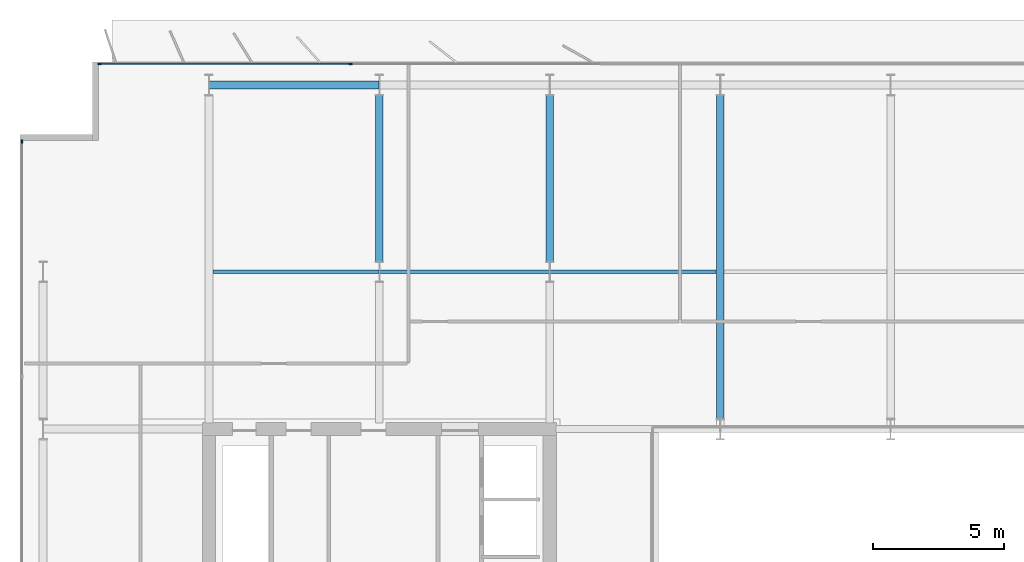
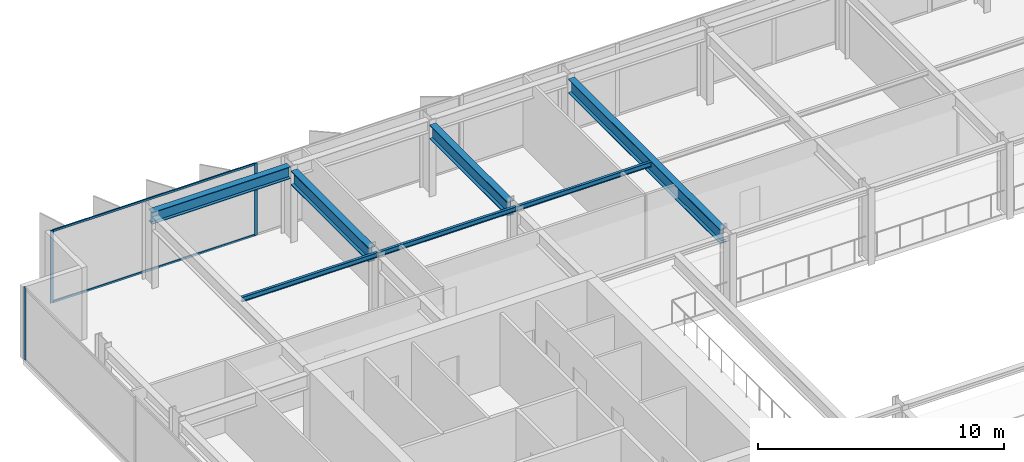
# One storey, part 10 of 23: 7 beams, 5 members, 2 elements without a shape of their own.
"""IFC4 building model written with IfcOpenShell, lengths in metres."""

from ifc_helpers import new_model, si_unit, direction, frame, origin, origin_2d, place, context, subcontext, project, spatial, rectangle, i_section, extrude, material, layer, layer_set, material_profile, profile_set, type_object, element, aggregate, save


model = new_model("IFC4")

# Units and contexts
model_context = context("Model", 3, precision=1e-05, world=origin(), true_north=direction((0.0, 1.0)))
body_context = subcontext(model_context, "Body", "Model", "MODEL_VIEW")
ifc_project = project(units=[si_unit("LENGTHUNIT", "METRE"), si_unit("AREAUNIT", "SQUARE_METRE"), si_unit("VOLUMEUNIT", "CUBIC_METRE"), si_unit("PLANEANGLEUNIT", "RADIAN"), si_unit("MASSUNIT", "GRAM", prefix="KILO")], contexts=[model_context])

# Site, building, storey
site_placement = place(None, origin())
site = spatial("IfcSite", under=ifc_project, at=site_placement, CompositionType="ELEMENT")
building_placement = place(site_placement, origin())
building = spatial("IfcBuilding", under=site, at=building_placement, Name="Putna Gate Headquarters", CompositionType="ELEMENT")
storey_placement = place(building_placement, frame((0.0, 0.0, 202.39990234375)))
storey = spatial("IfcBuildingStorey", under=building, at=storey_placement, Name="L50", CompositionType="ELEMENT", Elevation=202.39990234375)

# Beams
ifc_material_1 = material(Name="Steel S355J2", Category="steel")
ifc_material_profile_1 = material_profile(ifc_material_1, i_section(OverallWidth=0.300048828125, OverallDepth=0.699951171875, WebThickness=0.01708984375, FlangeThickness=0.031982421875, at=origin_2d()), Name="Steel S355J2")
ifc_profile_set_1 = profile_set([ifc_material_profile_1], Name="Steel S355J2")
beam_type_1 = type_object("IfcBeamType", Name="BM-GIRD-B-HEB700", PredefinedType="USERDEFINED", material=ifc_profile_set_1)
for number, where, z_axis, x_axis, name in (
    (1, (19.5, 39.39501953125, 3.22998046875), (0.0, 1.0, 0.0), (-1.0, 0.0, 0.0), "L50 North Primary Girder X19-2"),
    (2, (26.0, 39.39501953125, 3.22998046875), (0.0, 1.0, 0.0), (-1.0, 0.0, 0.0), "L50 North Primary Girder X26-2"),
):
    element("IfcBeam", number, at=place(storey_placement, frame(where, z_axis=z_axis, x_axis=x_axis)), inside=storey, type_object=beam_type_1, Name=name, ObjectType="GIRDER", PredefinedType="USERDEFINED", context=body_context, shape_type="SweptSolid", body=[
        extrude(i_section(OverallWidth=0.300048828125, OverallDepth=0.699951171875, WebThickness=0.01708984375, FlangeThickness=0.031982421875, at=origin_2d()), origin(), (0.0, 0.0, 1.0), 6.330078125),
    ])
beam_1_placement = place(storey_placement, frame((32.5, 33.39501953125, 3.22998046875), z_axis=(0.0, 1.0, 0.0), x_axis=(-1.0, 0.0, 0.0)))
element("IfcBeam", 3, at=beam_1_placement, inside=storey, type_object=beam_type_1, Name="L50 North Primary Girder X32", ObjectType="GIRDER", PredefinedType="USERDEFINED", context=body_context, shape_type="SweptSolid", body=[
    extrude(i_section(OverallWidth=0.300048828125, OverallDepth=0.699951171875, WebThickness=0.01708984375, FlangeThickness=0.031982421875, at=origin_2d()), origin(), (0.0, 0.0, 1.0), 12.330078125),
])
ifc_material_profile_2 = material_profile(ifc_material_1, i_section(OverallWidth=0.1201171875, OverallDepth=0.239990234375, WebThickness=0.006103515625, FlangeThickness=0.009765625, at=origin_2d()), Name="Steel S355J2")
ifc_profile_set_2 = profile_set([ifc_material_profile_2], Name="Steel S355J2")
beam_type_2 = type_object("IfcBeamType", Name="BM-SEC-Z4-IPE240", PredefinedType="JOIST", material=ifc_profile_set_2)
beam_2_placement = place(storey_placement, frame((13.154052734375, 39.0, 3.460205078125), z_axis=(1.0, 0.0, 0.0), x_axis=(0.0, 1.0, 0.0)))
element("IfcBeam", 4, at=beam_2_placement, inside=storey, type_object=beam_type_2, Name="L50 North Secondary Beam 1", PredefinedType="JOIST", context=body_context, shape_type="SweptSolid", body=[
    extrude(i_section(OverallWidth=0.1201171875, OverallDepth=0.239990234375, WebThickness=0.006103515625, FlangeThickness=0.009765625, at=origin_2d()), origin(), (0.0, 0.0, 1.0), 6.33984375),
])
beam_3_placement = place(storey_placement, frame((19.506103515625, 39.0, 3.460205078125), z_axis=(1.0, 0.0, 0.0), x_axis=(0.0, 1.0, 0.0)))
element("IfcBeam", 5, at=beam_3_placement, inside=storey, type_object=beam_type_2, Name="L50 North Secondary Beam 2", PredefinedType="JOIST", context=body_context, shape_type="SweptSolid", body=[
    extrude(i_section(OverallWidth=0.1201171875, OverallDepth=0.239990234375, WebThickness=0.006103515625, FlangeThickness=0.009765625, at=origin_2d()), origin(), (0.0, 0.0, 1.0), 6.48779296875),
])
beam_4_placement = place(storey_placement, frame((26.006103515625, 39.0, 3.460205078125), z_axis=(1.0, 0.0, 0.0), x_axis=(0.0, 1.0, 0.0)))
element("IfcBeam", 6, at=beam_4_placement, inside=storey, type_object=beam_type_2, Name="L50 North Secondary Beam 3", PredefinedType="JOIST", context=body_context, shape_type="SweptSolid", body=[
    extrude(i_section(OverallWidth=0.1201171875, OverallDepth=0.239990234375, WebThickness=0.006103515625, FlangeThickness=0.009765625, at=origin_2d()), origin(), (0.0, 0.0, 1.0), 6.33984375),
])
ifc_material_profile_3 = material_profile(ifc_material_1, i_section(OverallWidth=0.300048828125, OverallDepth=0.590087890625, WebThickness=0.012939453125, FlangeThickness=0.02490234375, at=origin_2d()), Name="Steel S355J2")
ifc_profile_set_3 = profile_set([ifc_material_profile_3], Name="Steel S355J2")
beam_type_3 = type_object("IfcBeamType", Name="BM-SPAN-Z4-HEA600", PredefinedType="SPANDREL", material=ifc_profile_set_3)
beam_5_placement = place(storey_placement, frame((13.006103515625, 46.1201171875, 3.28515625), z_axis=(1.0, 0.0, 0.0), x_axis=(0.0, 1.0, 0.0)))
element("IfcBeam", 7, at=beam_5_placement, inside=storey, type_object=beam_type_3, Name="L50 N Perimeter Spandrel 1", PredefinedType="SPANDREL", context=body_context, shape_type="SweptSolid", body=[
    extrude(i_section(OverallWidth=0.300048828125, OverallDepth=0.590087890625, WebThickness=0.012939453125, FlangeThickness=0.02490234375, at=origin_2d()), origin(), (0.0, 0.0, 1.0), 6.48779296875),
])

# Curtain wall, members
ifc_material_2 = material(Name="Anodised bronze aluminium curtain wall", Category="aluminium")
ifc_layer = layer(ifc_material_2, 0.139892578125)
ifc_layer_set = layer_set([ifc_layer], Name="Anodised bronze aluminium curtain wall")
curtain_wall_type = type_object("IfcCurtainWallType", Name="CW-SYS-Z4", PredefinedType="USERDEFINED", material=ifc_layer_set)
curtain_wall_1_placement = place(storey_placement, origin())
curtain_wall_1 = element("IfcCurtainWall", 8, at=curtain_wall_1_placement, inside=storey, type_object=curtain_wall_type, Name="L50 North West Curtain Wall", ObjectType="STICK CURTAIN WALL", PredefinedType="USERDEFINED")
ifc_material_3 = material(Name="Anodised bronze aluminium EN AW-6060", Category="aluminium")
ifc_material_profile_4 = material_profile(ifc_material_3, rectangle(XDim=0.06005859375, YDim=0.139892578125, at=origin_2d()), Name="Anodised bronze aluminium EN AW-6060")
ifc_profile_set_4 = profile_set([ifc_material_profile_4], Name="Anodised bronze aluminium EN AW-6060")
member_type_1 = type_object("IfcMemberType", Name="MULL-CWM-4", PredefinedType="MULLION", material=ifc_profile_set_4)
member_1_placement = place(storey_placement, frame((8.830078125, 46.919921875, 0.0), z_axis=(0.0, 0.0, 1.0), x_axis=(0.0, 1.0, 0.0)))
member_1 = element("IfcMember", 9, at=member_1_placement, type_object=member_type_1, Name="CWS-4 mullion 1", PredefinedType="MULLION", context=body_context, shape_type="SweptSolid", body=[
    extrude(rectangle(XDim=0.06005859375, YDim=0.139892578125, at=origin_2d()), origin(), (0.0, 0.0, 1.0), 3.580078125),
])
member_2_placement = place(storey_placement, frame((18.39990234375, 46.919921875, 0.0), z_axis=(0.0, 0.0, 1.0), x_axis=(0.0, 1.0, 0.0)))
member_2 = element("IfcMember", 10, at=member_2_placement, type_object=member_type_1, Name="CWS-4 mullion 2", PredefinedType="MULLION", context=body_context, shape_type="SweptSolid", body=[
    extrude(rectangle(XDim=0.06005859375, YDim=0.139892578125, at=origin_2d()), origin(), (0.0, 0.0, 1.0), 3.580078125),
])

# Curtain wall, member
curtain_wall_2_placement = place(storey_placement, origin())
curtain_wall_2 = element("IfcCurtainWall", 11, at=curtain_wall_2_placement, inside=storey, type_object=curtain_wall_type, Name="L50 West Curtain Wall", ObjectType="STICK CURTAIN WALL", PredefinedType="USERDEFINED")
member_3_placement = place(storey_placement, frame((5.8798828125, 43.969970703125, 0.0), z_axis=(0.0, 0.0, 1.0), x_axis=(-1.0, 0.0, 0.0)))
member_3 = element("IfcMember", 12, at=member_3_placement, type_object=member_type_1, Name="CWS-4 mullion 5", PredefinedType="MULLION", context=body_context, shape_type="SweptSolid", body=[
    extrude(rectangle(XDim=0.06005859375, YDim=0.139892578125, at=origin_2d()), origin(), (0.0, 0.0, 1.0), 3.580078125),
])
aggregate(curtain_wall_2, [member_3])

# Member
ifc_material_profile_5 = material_profile(ifc_material_3, rectangle(XDim=0.06005859375, YDim=0.10009765625, at=origin_2d()), Name="Anodised bronze aluminium EN AW-6060")
ifc_profile_set_5 = profile_set([ifc_material_profile_5], Name="Anodised bronze aluminium EN AW-6060")
member_type_2 = type_object("IfcMemberType", Name="TRAN-CWT-4", PredefinedType="USERDEFINED", material=ifc_profile_set_5)
member_4_placement = place(storey_placement, frame((8.860107421875, 46.919921875, 0.030029296875), z_axis=(1.0, 0.0, 0.0), x_axis=(0.0, 1.0, 0.0)))
member_4 = element("IfcMember", 13, at=member_4_placement, type_object=member_type_2, Name="CWS-4 transom 1.1", ObjectType="TRANSOM", PredefinedType="USERDEFINED", context=body_context, shape_type="SweptSolid", body=[
    extrude(rectangle(XDim=0.06005859375, YDim=0.10009765625, at=origin_2d()), origin(), (0.0, 0.0, 1.0), 9.510009765625),
])

member_5_placement = place(storey_placement, frame((8.860107421875, 46.919921875, 3.550048828125), z_axis=(1.0, 0.0, 0.0), x_axis=(0.0, 1.0, 0.0)))
member_5 = element("IfcMember", 14, at=member_5_placement, type_object=member_type_2, Name="CWS-4 transom 1.2", ObjectType="TRANSOM", PredefinedType="USERDEFINED", context=body_context, shape_type="SweptSolid", body=[
    extrude(rectangle(XDim=0.06005859375, YDim=0.10009765625, at=origin_2d()), origin(), (0.0, 0.0, 1.0), 9.510009765625),
])

aggregate(curtain_wall_1, [member_1, member_2, member_4, member_5])

save(model, "model.ifc")
